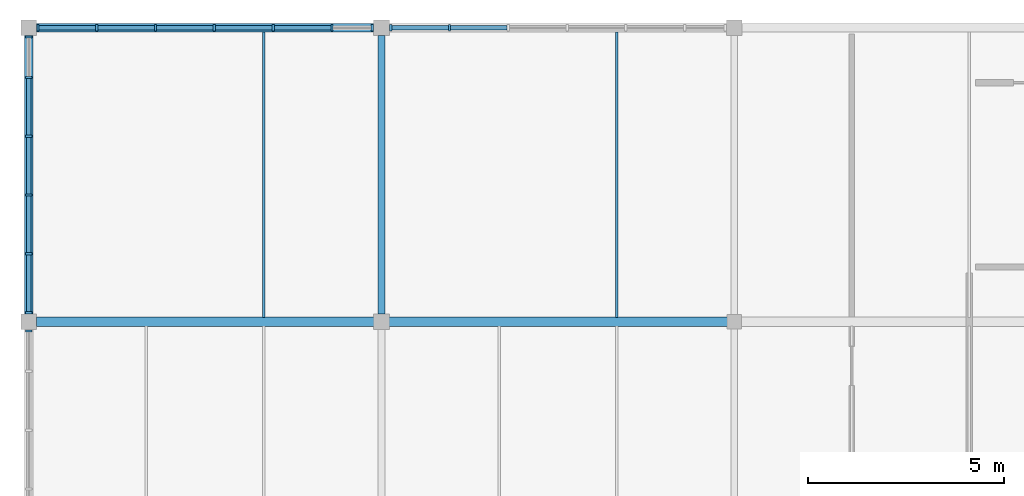
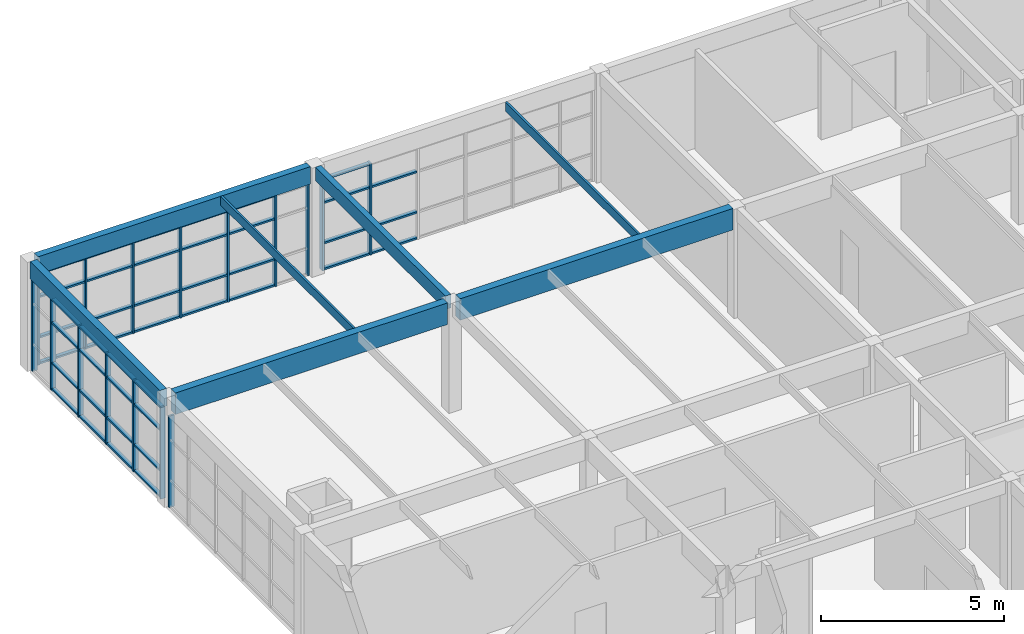
# One storey, part 17 of 45: 59 members, 7 beams, 4 elements without a shape of their own.
"""IFC4 building model written with IfcOpenShell, lengths in metres."""

from ifc_helpers import new_model, si_unit, direction, frame, origin, origin_2d, place, context, subcontext, project, spatial, rectangle, extrude, material, layer, layer_set, material_profile, profile_set, type_object, element, aggregate, save


model = new_model("IFC4")

# Units and contexts
model_context = context("Model", 3, precision=1e-05, world=origin(), true_north=direction((0.0, 1.0)))
body_context = subcontext(model_context, "Body", "Model", "MODEL_VIEW")
ifc_project = project(units=[si_unit("LENGTHUNIT", "METRE"), si_unit("AREAUNIT", "SQUARE_METRE"), si_unit("VOLUMEUNIT", "CUBIC_METRE"), si_unit("PLANEANGLEUNIT", "RADIAN"), si_unit("MASSUNIT", "GRAM", prefix="KILO")], contexts=[model_context])

# Site, building, storey
site_placement = place(None, origin())
site = spatial("IfcSite", under=ifc_project, at=site_placement, CompositionType="ELEMENT")
building_placement = place(site_placement, origin())
building = spatial("IfcBuilding", under=site, at=building_placement, Name="Marnridge Secondary College", CompositionType="ELEMENT")
storey_placement = place(building_placement, frame((0.0, 0.0, 12.300048828125)))
storey = spatial("IfcBuildingStorey", under=building, at=storey_placement, Name="L03", CompositionType="ELEMENT", Elevation=12.300048828125)

# Beams
ifc_material_1 = material(Name="Glulam timber GL18", Category="wood")
ifc_material_profile_1 = material_profile(ifc_material_1, rectangle(XDim=0.175048828125, YDim=0.449951171875, at=origin_2d()), Name="GL18 175x450")
ifc_profile_set_1 = profile_set([ifc_material_profile_1], Name="Glulam timber GL18")
beam_type_1 = type_object("IfcBeamType", Name="BM-GL450-INT", PredefinedType="BEAM", material=ifc_profile_set_1)
beam_1_placement = place(storey_placement, frame((9.0, 112.694091796875, 3.425048828125), z_axis=(0.0, 1.0, 0.0), x_axis=(-1.0, 0.0, 0.0)))
element("IfcBeam", 1, at=beam_1_placement, inside=storey, type_object=beam_type_1, Name="Beam BRF-L03-1323", PredefinedType="BEAM", context=body_context, shape_type="SweptSolid", body=[
    extrude(rectangle(XDim=0.175048828125, YDim=0.449951171875, at=origin_2d()), origin(), (0.0, 0.0, 1.0), 7.11181640625),
])
ifc_material_2 = material(Name="Glulam timber GL18", Category="wood")
ifc_material_profile_2 = material_profile(ifc_material_2, rectangle(XDim=0.215087890625, YDim=0.5849609375, at=origin_2d()), Name="GL18 215x585")
ifc_profile_set_2 = profile_set([ifc_material_profile_2], Name="Glulam timber GL18")
beam_type_2 = type_object("IfcBeamType", Name="BM-GL585-EXT", PredefinedType="SPANDREL", material=ifc_profile_set_2)
beam_2_placement = place(storey_placement, frame((0.194091796875, 120.0, 3.357421875), z_axis=(1.0, 0.0, 0.0), x_axis=(0.0, 1.0, 0.0)))
element("IfcBeam", 2, at=beam_2_placement, inside=storey, type_object=beam_type_2, Name="Beam BRF-L03-1321", PredefinedType="SPANDREL", context=body_context, shape_type="SweptSolid", body=[
    extrude(rectangle(XDim=0.215087890625, YDim=0.5849609375, at=origin_2d()), origin(), (0.0, 0.0, 1.0), 8.61181640625),
])
beam_3_placement = place(storey_placement, frame((0.0, 112.694091796875, 3.357421875), z_axis=(0.0, 1.0, 0.0), x_axis=(-1.0, 0.0, 0.0)))
element("IfcBeam", 3, at=beam_3_placement, inside=storey, type_object=beam_type_2, Name="Beam BRF-L03-1322", PredefinedType="SPANDREL", context=body_context, shape_type="SweptSolid", body=[
    extrude(rectangle(XDim=0.215087890625, YDim=0.5849609375, at=origin_2d()), origin(), (0.0, 0.0, 1.0), 7.11181640625),
])
ifc_material_3 = material(Name="Glulam timber GL18", Category="wood")
ifc_material_profile_3 = material_profile(ifc_material_3, rectangle(XDim=0.239990234375, YDim=0.719970703125, at=origin_2d()), Name="GL18 240x720")
ifc_profile_set_3 = profile_set([ifc_material_profile_3], Name="Glulam timber GL18")
beam_type_3 = type_object("IfcBeamType", Name="BM-GL720-INT", PredefinedType="BEAM", material=ifc_profile_set_3)
beam_4_placement = place(storey_placement, frame((0.194091796875, 112.5, 3.2900390625), z_axis=(1.0, 0.0, 0.0), x_axis=(0.0, 1.0, 0.0)))
element("IfcBeam", 4, at=beam_4_placement, inside=storey, type_object=beam_type_3, Name="Beam BRF-L03-1318", PredefinedType="BEAM", context=body_context, shape_type="SweptSolid", body=[
    extrude(rectangle(XDim=0.239990234375, YDim=0.719970703125, at=origin_2d()), origin(), (0.0, 0.0, 1.0), 8.61181640625),
])
beam_5_placement = place(storey_placement, frame((9.194091796875, 112.5, 3.2900390625), z_axis=(1.0, 0.0, 0.0), x_axis=(0.0, 1.0, 0.0)))
element("IfcBeam", 5, at=beam_5_placement, inside=storey, type_object=beam_type_3, Name="Beam BRF-L03-1329", PredefinedType="BEAM", context=body_context, shape_type="SweptSolid", body=[
    extrude(rectangle(XDim=0.239990234375, YDim=0.719970703125, at=origin_2d()), origin(), (0.0, 0.0, 1.0), 8.6318359375),
])
ifc_material_4 = material(Name="Engineered timber LVL E13.2", Category="wood")
ifc_material_profile_4 = material_profile(ifc_material_4, rectangle(XDim=0.06298828125, YDim=0.300048828125, at=origin_2d()), Name="LVL 63x300")
ifc_profile_set_4 = profile_set([ifc_material_profile_4], Name="Engineered timber LVL E13.2")
beam_type_4 = type_object("IfcBeamType", Name="BM-LVL300-INT", PredefinedType="JOIST", material=ifc_profile_set_4)
for number, where, z_axis, x_axis, name in (
    (6, (6.0, 112.614013671875, 3.5), (0.0, 1.0, 0.0), (-1.0, 0.0, 0.0), "Beam BJ-L03-1361"),
    (7, (15.0, 112.614013671875, 3.5), (0.0, 1.0, 0.0), (-1.0, 0.0, 0.0), "Beam BJ-L03-1367"),
):
    element("IfcBeam", number, at=place(storey_placement, frame(where, z_axis=z_axis, x_axis=x_axis)), inside=storey, type_object=beam_type_4, Name=name, PredefinedType="JOIST", context=body_context, shape_type="SweptSolid", body=[
        extrude(rectangle(XDim=0.06298828125, YDim=0.300048828125, at=origin_2d()), origin(), (0.0, 0.0, 1.0), 7.284423828125),
    ])

# Curtain wall, members
ifc_material_5 = material(Name="Thermally broken aluminium and low-E glazing", Category="aluminium")
ifc_layer = layer(ifc_material_5, 0.159912109375)
ifc_layer_set = layer_set([ifc_layer], Name="CW-MOD-1500")
curtain_wall_type = type_object("IfcCurtainWallType", Name="CW-MOD-1500", PredefinedType="NOTDEFINED", material=ifc_layer_set)
curtain_wall_1_placement = place(storey_placement, origin())
curtain_wall_1 = element("IfcCurtainWall", 8, at=curtain_wall_1_placement, inside=storey, type_object=curtain_wall_type, Name="Unitised curtain wall CW-L03-118", PredefinedType="NOTDEFINED")
ifc_material_6 = material(Name="Anodised aluminium 6063-T6", Category="aluminium")
ifc_material_profile_5 = material_profile(ifc_material_6, rectangle(XDim=0.06005859375, YDim=0.159912109375, at=origin_2d()), Name="ALU 60x160")
ifc_profile_set_5 = profile_set([ifc_material_profile_5], Name="Anodised aluminium 6063-T6")
member_type_1 = type_object("IfcMemberType", Name="CWM-ALU160", PredefinedType="MULLION", material=ifc_profile_set_5)
member_1_placement = place(storey_placement, frame((0.23388671875, 120.0, 0.0), z_axis=(0.0, 0.0, 1.0), x_axis=(1.0, 0.0, 0.0)))
member_1 = element("IfcMember", 9, at=member_1_placement, type_object=member_type_1, Name="CW-L03-118 mullion 1", PredefinedType="MULLION", context=body_context, shape_type="SweptSolid", body=[
    extrude(rectangle(XDim=0.06005859375, YDim=0.159912109375, at=origin_2d()), origin(), (0.0, 0.0, 1.0), 3.056884765625),
])
member_2_placement = place(storey_placement, frame((1.73388671875, 120.0, 0.0), z_axis=(0.0, 0.0, 1.0), x_axis=(1.0, 0.0, 0.0)))
member_2 = element("IfcMember", 10, at=member_2_placement, type_object=member_type_1, Name="CW-L03-118 mullion 2", PredefinedType="MULLION", context=body_context, shape_type="SweptSolid", body=[
    extrude(rectangle(XDim=0.06005859375, YDim=0.159912109375, at=origin_2d()), origin(), (0.0, 0.0, 1.0), 3.056884765625),
])
member_3_placement = place(storey_placement, frame((3.23388671875, 120.0, 0.0), z_axis=(0.0, 0.0, 1.0), x_axis=(1.0, 0.0, 0.0)))
member_3 = element("IfcMember", 11, at=member_3_placement, type_object=member_type_1, Name="CW-L03-118 mullion 3", PredefinedType="MULLION", context=body_context, shape_type="SweptSolid", body=[
    extrude(rectangle(XDim=0.06005859375, YDim=0.159912109375, at=origin_2d()), origin(), (0.0, 0.0, 1.0), 3.056884765625),
])
member_4_placement = place(storey_placement, frame((4.73388671875, 120.0, 0.0), z_axis=(0.0, 0.0, 1.0), x_axis=(1.0, 0.0, 0.0)))
member_4 = element("IfcMember", 12, at=member_4_placement, type_object=member_type_1, Name="CW-L03-118 mullion 4", PredefinedType="MULLION", context=body_context, shape_type="SweptSolid", body=[
    extrude(rectangle(XDim=0.06005859375, YDim=0.159912109375, at=origin_2d()), origin(), (0.0, 0.0, 1.0), 3.056884765625),
])
member_5_placement = place(storey_placement, frame((6.23388671875, 120.0, 0.0), z_axis=(0.0, 0.0, 1.0), x_axis=(1.0, 0.0, 0.0)))
member_5 = element("IfcMember", 13, at=member_5_placement, type_object=member_type_1, Name="CW-L03-118 mullion 5", PredefinedType="MULLION", context=body_context, shape_type="SweptSolid", body=[
    extrude(rectangle(XDim=0.06005859375, YDim=0.159912109375, at=origin_2d()), origin(), (0.0, 0.0, 1.0), 3.056884765625),
])
member_6_placement = place(storey_placement, frame((7.73388671875, 120.0, 0.0), z_axis=(0.0, 0.0, 1.0), x_axis=(1.0, 0.0, 0.0)))
member_6 = element("IfcMember", 14, at=member_6_placement, type_object=member_type_1, Name="CW-L03-118 mullion 6", PredefinedType="MULLION", context=body_context, shape_type="SweptSolid", body=[
    extrude(rectangle(XDim=0.06005859375, YDim=0.159912109375, at=origin_2d()), origin(), (0.0, 0.0, 1.0), 3.056884765625),
])
member_7_placement = place(storey_placement, frame((8.76611328125, 120.0, 0.0), z_axis=(0.0, 0.0, 1.0), x_axis=(1.0, 0.0, 0.0)))
member_7 = element("IfcMember", 15, at=member_7_placement, type_object=member_type_1, Name="CW-L03-118 mullion 7", PredefinedType="MULLION", context=body_context, shape_type="SweptSolid", body=[
    extrude(rectangle(XDim=0.06005859375, YDim=0.159912109375, at=origin_2d()), origin(), (0.0, 0.0, 1.0), 3.056884765625),
])

curtain_wall_2_placement = place(storey_placement, origin())
curtain_wall_2 = element("IfcCurtainWall", 16, at=curtain_wall_2_placement, inside=storey, type_object=curtain_wall_type, Name="Unitised curtain wall CW-L03-119", PredefinedType="NOTDEFINED")
member_8_placement = place(storey_placement, frame((9.23388671875, 120.0, 0.0), z_axis=(0.0, 0.0, 1.0), x_axis=(1.0, 0.0, 0.0)))
member_8 = element("IfcMember", 17, at=member_8_placement, type_object=member_type_1, Name="CW-L03-119 mullion 1", PredefinedType="MULLION", context=body_context, shape_type="SweptSolid", body=[
    extrude(rectangle(XDim=0.06005859375, YDim=0.159912109375, at=origin_2d()), origin(), (0.0, 0.0, 1.0), 3.056884765625),
])
member_9_placement = place(storey_placement, frame((10.73388671875, 120.0, 0.0), z_axis=(0.0, 0.0, 1.0), x_axis=(1.0, 0.0, 0.0)))
member_9 = element("IfcMember", 18, at=member_9_placement, type_object=member_type_1, Name="CW-L03-119 mullion 2", PredefinedType="MULLION", context=body_context, shape_type="SweptSolid", body=[
    extrude(rectangle(XDim=0.06005859375, YDim=0.159912109375, at=origin_2d()), origin(), (0.0, 0.0, 1.0), 3.056884765625),
])

# Curtain wall, member
curtain_wall_3_placement = place(storey_placement, origin())
curtain_wall_3 = element("IfcCurtainWall", 19, at=curtain_wall_3_placement, inside=storey, type_object=curtain_wall_type, Name="Unitised curtain wall CW-L03-125", PredefinedType="NOTDEFINED")
member_10_placement = place(storey_placement, frame((0.0, 112.26611328125, 0.0), z_axis=(0.0, 0.0, 1.0), x_axis=(0.0, 1.0, 0.0)))
member_10 = element("IfcMember", 20, at=member_10_placement, type_object=member_type_1, Name="CW-L03-125 mullion 6", PredefinedType="MULLION", context=body_context, shape_type="SweptSolid", body=[
    extrude(rectangle(XDim=0.06005859375, YDim=0.159912109375, at=origin_2d()), origin(), (0.0, 0.0, 1.0), 3.056884765625),
])
aggregate(curtain_wall_3, [member_10])

# Curtain wall, members
curtain_wall_4_placement = place(storey_placement, origin())
curtain_wall_4 = element("IfcCurtainWall", 21, at=curtain_wall_4_placement, inside=storey, type_object=curtain_wall_type, Name="Unitised curtain wall CW-L03-126", PredefinedType="NOTDEFINED")
member_11_placement = place(storey_placement, frame((0.0, 112.73388671875, 0.0), z_axis=(0.0, 0.0, 1.0), x_axis=(0.0, 1.0, 0.0)))
member_11 = element("IfcMember", 22, at=member_11_placement, type_object=member_type_1, Name="CW-L03-126 mullion 1", PredefinedType="MULLION", context=body_context, shape_type="SweptSolid", body=[
    extrude(rectangle(XDim=0.06005859375, YDim=0.159912109375, at=origin_2d()), origin(), (0.0, 0.0, 1.0), 3.056884765625),
])
member_12_placement = place(storey_placement, frame((0.0, 114.23388671875, 0.0), z_axis=(0.0, 0.0, 1.0), x_axis=(0.0, 1.0, 0.0)))
member_12 = element("IfcMember", 23, at=member_12_placement, type_object=member_type_1, Name="CW-L03-126 mullion 2", PredefinedType="MULLION", context=body_context, shape_type="SweptSolid", body=[
    extrude(rectangle(XDim=0.06005859375, YDim=0.159912109375, at=origin_2d()), origin(), (0.0, 0.0, 1.0), 3.056884765625),
])
member_13_placement = place(storey_placement, frame((0.0, 115.73388671875, 0.0), z_axis=(0.0, 0.0, 1.0), x_axis=(0.0, 1.0, 0.0)))
member_13 = element("IfcMember", 24, at=member_13_placement, type_object=member_type_1, Name="CW-L03-126 mullion 3", PredefinedType="MULLION", context=body_context, shape_type="SweptSolid", body=[
    extrude(rectangle(XDim=0.06005859375, YDim=0.159912109375, at=origin_2d()), origin(), (0.0, 0.0, 1.0), 3.056884765625),
])
member_14_placement = place(storey_placement, frame((0.0, 117.23388671875, 0.0), z_axis=(0.0, 0.0, 1.0), x_axis=(0.0, 1.0, 0.0)))
member_14 = element("IfcMember", 25, at=member_14_placement, type_object=member_type_1, Name="CW-L03-126 mullion 4", PredefinedType="MULLION", context=body_context, shape_type="SweptSolid", body=[
    extrude(rectangle(XDim=0.06005859375, YDim=0.159912109375, at=origin_2d()), origin(), (0.0, 0.0, 1.0), 3.056884765625),
])
member_15_placement = place(storey_placement, frame((0.0, 118.73388671875, 0.0), z_axis=(0.0, 0.0, 1.0), x_axis=(0.0, 1.0, 0.0)))
member_15 = element("IfcMember", 26, at=member_15_placement, type_object=member_type_1, Name="CW-L03-126 mullion 5", PredefinedType="MULLION", context=body_context, shape_type="SweptSolid", body=[
    extrude(rectangle(XDim=0.06005859375, YDim=0.159912109375, at=origin_2d()), origin(), (0.0, 0.0, 1.0), 3.056884765625),
])
member_16_placement = place(storey_placement, frame((0.0, 119.76611328125, 0.0), z_axis=(0.0, 0.0, 1.0), x_axis=(0.0, 1.0, 0.0)))
member_16 = element("IfcMember", 27, at=member_16_placement, type_object=member_type_1, Name="CW-L03-126 mullion 6", PredefinedType="MULLION", context=body_context, shape_type="SweptSolid", body=[
    extrude(rectangle(XDim=0.06005859375, YDim=0.159912109375, at=origin_2d()), origin(), (0.0, 0.0, 1.0), 3.056884765625),
])

# Member
ifc_material_7 = material(Name="Anodised aluminium 6063-T6", Category="aluminium")
ifc_material_profile_6 = material_profile(ifc_material_7, rectangle(XDim=0.06005859375, YDim=0.1201171875, at=origin_2d()), Name="ALU 60x120")
ifc_profile_set_6 = profile_set([ifc_material_profile_6], Name="Anodised aluminium 6063-T6")
member_type_2 = type_object("IfcMemberType", Name="CWT-ALU120", PredefinedType="USERDEFINED", material=ifc_profile_set_6)
member_17_placement = place(storey_placement, frame((0.263916015625, 120.0, 0.030029296875), z_axis=(1.0, 0.0, 0.0), x_axis=(0.0, 0.0, 1.0)))
member_17 = element("IfcMember", 28, at=member_17_placement, type_object=member_type_2, Name="CW-L03-118 transom 1.1", ObjectType="TRANSOM", PredefinedType="USERDEFINED", context=body_context, shape_type="SweptSolid", body=[
    extrude(rectangle(XDim=0.06005859375, YDim=0.1201171875, at=origin_2d()), origin(), (0.0, 0.0, 1.0), 1.440185546875),
])

member_18_placement = place(storey_placement, frame((0.263916015625, 120.0, 0.89990234375), z_axis=(1.0, 0.0, 0.0), x_axis=(0.0, 0.0, 1.0)))
member_18 = element("IfcMember", 29, at=member_18_placement, type_object=member_type_2, Name="CW-L03-118 transom 1.2", ObjectType="TRANSOM", PredefinedType="USERDEFINED", context=body_context, shape_type="SweptSolid", body=[
    extrude(rectangle(XDim=0.06005859375, YDim=0.1201171875, at=origin_2d()), origin(), (0.0, 0.0, 1.0), 1.440185546875),
])

member_19_placement = place(storey_placement, frame((0.263916015625, 120.0, 2.25), z_axis=(1.0, 0.0, 0.0), x_axis=(0.0, 0.0, 1.0)))
member_19 = element("IfcMember", 30, at=member_19_placement, type_object=member_type_2, Name="CW-L03-118 transom 1.3", ObjectType="TRANSOM", PredefinedType="USERDEFINED", context=body_context, shape_type="SweptSolid", body=[
    extrude(rectangle(XDim=0.06005859375, YDim=0.1201171875, at=origin_2d()), origin(), (0.0, 0.0, 1.0), 1.440185546875),
])

member_20_placement = place(storey_placement, frame((0.263916015625, 120.0, 3.02685546875), z_axis=(1.0, 0.0, 0.0), x_axis=(0.0, 0.0, 1.0)))
member_20 = element("IfcMember", 31, at=member_20_placement, type_object=member_type_2, Name="CW-L03-118 transom 1.4", ObjectType="TRANSOM", PredefinedType="USERDEFINED", context=body_context, shape_type="SweptSolid", body=[
    extrude(rectangle(XDim=0.06005859375, YDim=0.1201171875, at=origin_2d()), origin(), (0.0, 0.0, 1.0), 1.440185546875),
])

member_21_placement = place(storey_placement, frame((1.763916015625, 120.0, 0.030029296875), z_axis=(1.0, 0.0, 0.0), x_axis=(0.0, 0.0, 1.0)))
member_21 = element("IfcMember", 32, at=member_21_placement, type_object=member_type_2, Name="CW-L03-118 transom 2.1", ObjectType="TRANSOM", PredefinedType="USERDEFINED", context=body_context, shape_type="SweptSolid", body=[
    extrude(rectangle(XDim=0.06005859375, YDim=0.1201171875, at=origin_2d()), origin(), (0.0, 0.0, 1.0), 1.440185546875),
])

member_22_placement = place(storey_placement, frame((1.763916015625, 120.0, 0.89990234375), z_axis=(1.0, 0.0, 0.0), x_axis=(0.0, 0.0, 1.0)))
member_22 = element("IfcMember", 33, at=member_22_placement, type_object=member_type_2, Name="CW-L03-118 transom 2.2", ObjectType="TRANSOM", PredefinedType="USERDEFINED", context=body_context, shape_type="SweptSolid", body=[
    extrude(rectangle(XDim=0.06005859375, YDim=0.1201171875, at=origin_2d()), origin(), (0.0, 0.0, 1.0), 1.440185546875),
])

member_23_placement = place(storey_placement, frame((1.763916015625, 120.0, 2.25), z_axis=(1.0, 0.0, 0.0), x_axis=(0.0, 0.0, 1.0)))
member_23 = element("IfcMember", 34, at=member_23_placement, type_object=member_type_2, Name="CW-L03-118 transom 2.3", ObjectType="TRANSOM", PredefinedType="USERDEFINED", context=body_context, shape_type="SweptSolid", body=[
    extrude(rectangle(XDim=0.06005859375, YDim=0.1201171875, at=origin_2d()), origin(), (0.0, 0.0, 1.0), 1.440185546875),
])

member_24_placement = place(storey_placement, frame((1.763916015625, 120.0, 3.02685546875), z_axis=(1.0, 0.0, 0.0), x_axis=(0.0, 0.0, 1.0)))
member_24 = element("IfcMember", 35, at=member_24_placement, type_object=member_type_2, Name="CW-L03-118 transom 2.4", ObjectType="TRANSOM", PredefinedType="USERDEFINED", context=body_context, shape_type="SweptSolid", body=[
    extrude(rectangle(XDim=0.06005859375, YDim=0.1201171875, at=origin_2d()), origin(), (0.0, 0.0, 1.0), 1.440185546875),
])

member_25_placement = place(storey_placement, frame((3.263916015625, 120.0, 0.030029296875), z_axis=(1.0, 0.0, 0.0), x_axis=(0.0, 0.0, 1.0)))
member_25 = element("IfcMember", 36, at=member_25_placement, type_object=member_type_2, Name="CW-L03-118 transom 3.1", ObjectType="TRANSOM", PredefinedType="USERDEFINED", context=body_context, shape_type="SweptSolid", body=[
    extrude(rectangle(XDim=0.06005859375, YDim=0.1201171875, at=origin_2d()), origin(), (0.0, 0.0, 1.0), 1.440185546875),
])

member_26_placement = place(storey_placement, frame((3.263916015625, 120.0, 0.89990234375), z_axis=(1.0, 0.0, 0.0), x_axis=(0.0, 0.0, 1.0)))
member_26 = element("IfcMember", 37, at=member_26_placement, type_object=member_type_2, Name="CW-L03-118 transom 3.2", ObjectType="TRANSOM", PredefinedType="USERDEFINED", context=body_context, shape_type="SweptSolid", body=[
    extrude(rectangle(XDim=0.06005859375, YDim=0.1201171875, at=origin_2d()), origin(), (0.0, 0.0, 1.0), 1.440185546875),
])

member_27_placement = place(storey_placement, frame((3.263916015625, 120.0, 2.25), z_axis=(1.0, 0.0, 0.0), x_axis=(0.0, 0.0, 1.0)))
member_27 = element("IfcMember", 38, at=member_27_placement, type_object=member_type_2, Name="CW-L03-118 transom 3.3", ObjectType="TRANSOM", PredefinedType="USERDEFINED", context=body_context, shape_type="SweptSolid", body=[
    extrude(rectangle(XDim=0.06005859375, YDim=0.1201171875, at=origin_2d()), origin(), (0.0, 0.0, 1.0), 1.440185546875),
])

member_28_placement = place(storey_placement, frame((3.263916015625, 120.0, 3.02685546875), z_axis=(1.0, 0.0, 0.0), x_axis=(0.0, 0.0, 1.0)))
member_28 = element("IfcMember", 39, at=member_28_placement, type_object=member_type_2, Name="CW-L03-118 transom 3.4", ObjectType="TRANSOM", PredefinedType="USERDEFINED", context=body_context, shape_type="SweptSolid", body=[
    extrude(rectangle(XDim=0.06005859375, YDim=0.1201171875, at=origin_2d()), origin(), (0.0, 0.0, 1.0), 1.440185546875),
])

member_29_placement = place(storey_placement, frame((4.763916015625, 120.0, 0.030029296875), z_axis=(1.0, 0.0, 0.0), x_axis=(0.0, 0.0, 1.0)))
member_29 = element("IfcMember", 40, at=member_29_placement, type_object=member_type_2, Name="CW-L03-118 transom 4.1", ObjectType="TRANSOM", PredefinedType="USERDEFINED", context=body_context, shape_type="SweptSolid", body=[
    extrude(rectangle(XDim=0.06005859375, YDim=0.1201171875, at=origin_2d()), origin(), (0.0, 0.0, 1.0), 1.440185546875),
])

member_30_placement = place(storey_placement, frame((4.763916015625, 120.0, 0.89990234375), z_axis=(1.0, 0.0, 0.0), x_axis=(0.0, 0.0, 1.0)))
member_30 = element("IfcMember", 41, at=member_30_placement, type_object=member_type_2, Name="CW-L03-118 transom 4.2", ObjectType="TRANSOM", PredefinedType="USERDEFINED", context=body_context, shape_type="SweptSolid", body=[
    extrude(rectangle(XDim=0.06005859375, YDim=0.1201171875, at=origin_2d()), origin(), (0.0, 0.0, 1.0), 1.440185546875),
])

member_31_placement = place(storey_placement, frame((4.763916015625, 120.0, 2.25), z_axis=(1.0, 0.0, 0.0), x_axis=(0.0, 0.0, 1.0)))
member_31 = element("IfcMember", 42, at=member_31_placement, type_object=member_type_2, Name="CW-L03-118 transom 4.3", ObjectType="TRANSOM", PredefinedType="USERDEFINED", context=body_context, shape_type="SweptSolid", body=[
    extrude(rectangle(XDim=0.06005859375, YDim=0.1201171875, at=origin_2d()), origin(), (0.0, 0.0, 1.0), 1.440185546875),
])

member_32_placement = place(storey_placement, frame((4.763916015625, 120.0, 3.02685546875), z_axis=(1.0, 0.0, 0.0), x_axis=(0.0, 0.0, 1.0)))
member_32 = element("IfcMember", 43, at=member_32_placement, type_object=member_type_2, Name="CW-L03-118 transom 4.4", ObjectType="TRANSOM", PredefinedType="USERDEFINED", context=body_context, shape_type="SweptSolid", body=[
    extrude(rectangle(XDim=0.06005859375, YDim=0.1201171875, at=origin_2d()), origin(), (0.0, 0.0, 1.0), 1.440185546875),
])

member_33_placement = place(storey_placement, frame((6.263916015625, 120.0, 0.030029296875), z_axis=(1.0, 0.0, 0.0), x_axis=(0.0, 0.0, 1.0)))
member_33 = element("IfcMember", 44, at=member_33_placement, type_object=member_type_2, Name="CW-L03-118 transom 5.1", ObjectType="TRANSOM", PredefinedType="USERDEFINED", context=body_context, shape_type="SweptSolid", body=[
    extrude(rectangle(XDim=0.06005859375, YDim=0.1201171875, at=origin_2d()), origin(), (0.0, 0.0, 1.0), 1.440185546875),
])

member_34_placement = place(storey_placement, frame((6.263916015625, 120.0, 0.89990234375), z_axis=(1.0, 0.0, 0.0), x_axis=(0.0, 0.0, 1.0)))
member_34 = element("IfcMember", 45, at=member_34_placement, type_object=member_type_2, Name="CW-L03-118 transom 5.2", ObjectType="TRANSOM", PredefinedType="USERDEFINED", context=body_context, shape_type="SweptSolid", body=[
    extrude(rectangle(XDim=0.06005859375, YDim=0.1201171875, at=origin_2d()), origin(), (0.0, 0.0, 1.0), 1.440185546875),
])

member_35_placement = place(storey_placement, frame((6.263916015625, 120.0, 2.25), z_axis=(1.0, 0.0, 0.0), x_axis=(0.0, 0.0, 1.0)))
member_35 = element("IfcMember", 46, at=member_35_placement, type_object=member_type_2, Name="CW-L03-118 transom 5.3", ObjectType="TRANSOM", PredefinedType="USERDEFINED", context=body_context, shape_type="SweptSolid", body=[
    extrude(rectangle(XDim=0.06005859375, YDim=0.1201171875, at=origin_2d()), origin(), (0.0, 0.0, 1.0), 1.440185546875),
])

member_36_placement = place(storey_placement, frame((6.263916015625, 120.0, 3.02685546875), z_axis=(1.0, 0.0, 0.0), x_axis=(0.0, 0.0, 1.0)))
member_36 = element("IfcMember", 47, at=member_36_placement, type_object=member_type_2, Name="CW-L03-118 transom 5.4", ObjectType="TRANSOM", PredefinedType="USERDEFINED", context=body_context, shape_type="SweptSolid", body=[
    extrude(rectangle(XDim=0.06005859375, YDim=0.1201171875, at=origin_2d()), origin(), (0.0, 0.0, 1.0), 1.440185546875),
])

aggregate(curtain_wall_1, [member_1, member_2, member_3, member_4, member_5, member_6, member_7, member_17, member_18, member_19, member_20, member_21, member_22, member_23, member_24, member_25, member_26, member_27, member_28, member_29, member_30, member_31, member_32, member_33, member_34, member_35, member_36])

member_37_placement = place(storey_placement, frame((9.263916015625, 120.0, 0.030029296875), z_axis=(1.0, 0.0, 0.0), x_axis=(0.0, 0.0, 1.0)))
member_37 = element("IfcMember", 48, at=member_37_placement, type_object=member_type_2, Name="CW-L03-119 transom 1.1", ObjectType="TRANSOM", PredefinedType="USERDEFINED", context=body_context, shape_type="SweptSolid", body=[
    extrude(rectangle(XDim=0.06005859375, YDim=0.1201171875, at=origin_2d()), origin(), (0.0, 0.0, 1.0), 1.440185546875),
])

member_38_placement = place(storey_placement, frame((9.263916015625, 120.0, 0.89990234375), z_axis=(1.0, 0.0, 0.0), x_axis=(0.0, 0.0, 1.0)))
member_38 = element("IfcMember", 49, at=member_38_placement, type_object=member_type_2, Name="CW-L03-119 transom 1.2", ObjectType="TRANSOM", PredefinedType="USERDEFINED", context=body_context, shape_type="SweptSolid", body=[
    extrude(rectangle(XDim=0.06005859375, YDim=0.1201171875, at=origin_2d()), origin(), (0.0, 0.0, 1.0), 1.440185546875),
])

member_39_placement = place(storey_placement, frame((9.263916015625, 120.0, 2.25), z_axis=(1.0, 0.0, 0.0), x_axis=(0.0, 0.0, 1.0)))
member_39 = element("IfcMember", 50, at=member_39_placement, type_object=member_type_2, Name="CW-L03-119 transom 1.3", ObjectType="TRANSOM", PredefinedType="USERDEFINED", context=body_context, shape_type="SweptSolid", body=[
    extrude(rectangle(XDim=0.06005859375, YDim=0.1201171875, at=origin_2d()), origin(), (0.0, 0.0, 1.0), 1.440185546875),
])

member_40_placement = place(storey_placement, frame((9.263916015625, 120.0, 3.02685546875), z_axis=(1.0, 0.0, 0.0), x_axis=(0.0, 0.0, 1.0)))
member_40 = element("IfcMember", 51, at=member_40_placement, type_object=member_type_2, Name="CW-L03-119 transom 1.4", ObjectType="TRANSOM", PredefinedType="USERDEFINED", context=body_context, shape_type="SweptSolid", body=[
    extrude(rectangle(XDim=0.06005859375, YDim=0.1201171875, at=origin_2d()), origin(), (0.0, 0.0, 1.0), 1.440185546875),
])

member_41_placement = place(storey_placement, frame((10.763916015625, 120.0, 0.030029296875), z_axis=(1.0, 0.0, 0.0), x_axis=(0.0, 0.0, 1.0)))
member_41 = element("IfcMember", 52, at=member_41_placement, type_object=member_type_2, Name="CW-L03-119 transom 2.1", ObjectType="TRANSOM", PredefinedType="USERDEFINED", context=body_context, shape_type="SweptSolid", body=[
    extrude(rectangle(XDim=0.06005859375, YDim=0.1201171875, at=origin_2d()), origin(), (0.0, 0.0, 1.0), 1.440185546875),
])

member_42_placement = place(storey_placement, frame((10.763916015625, 120.0, 0.89990234375), z_axis=(1.0, 0.0, 0.0), x_axis=(0.0, 0.0, 1.0)))
member_42 = element("IfcMember", 53, at=member_42_placement, type_object=member_type_2, Name="CW-L03-119 transom 2.2", ObjectType="TRANSOM", PredefinedType="USERDEFINED", context=body_context, shape_type="SweptSolid", body=[
    extrude(rectangle(XDim=0.06005859375, YDim=0.1201171875, at=origin_2d()), origin(), (0.0, 0.0, 1.0), 1.440185546875),
])

member_43_placement = place(storey_placement, frame((10.763916015625, 120.0, 2.25), z_axis=(1.0, 0.0, 0.0), x_axis=(0.0, 0.0, 1.0)))
member_43 = element("IfcMember", 54, at=member_43_placement, type_object=member_type_2, Name="CW-L03-119 transom 2.3", ObjectType="TRANSOM", PredefinedType="USERDEFINED", context=body_context, shape_type="SweptSolid", body=[
    extrude(rectangle(XDim=0.06005859375, YDim=0.1201171875, at=origin_2d()), origin(), (0.0, 0.0, 1.0), 1.440185546875),
])

aggregate(curtain_wall_2, [member_8, member_9, member_37, member_38, member_39, member_40, member_41, member_42, member_43])

member_44_placement = place(storey_placement, frame((0.0, 112.763916015625, 0.030029296875), z_axis=(0.0, 1.0, 0.0), x_axis=(0.0, 0.0, 1.0)))
member_44 = element("IfcMember", 55, at=member_44_placement, type_object=member_type_2, Name="CW-L03-126 transom 1.1", ObjectType="TRANSOM", PredefinedType="USERDEFINED", context=body_context, shape_type="SweptSolid", body=[
    extrude(rectangle(XDim=0.06005859375, YDim=0.1201171875, at=origin_2d()), origin(), (0.0, 0.0, 1.0), 1.440185546875),
])

member_45_placement = place(storey_placement, frame((0.0, 112.763916015625, 0.89990234375), z_axis=(0.0, 1.0, 0.0), x_axis=(0.0, 0.0, 1.0)))
member_45 = element("IfcMember", 56, at=member_45_placement, type_object=member_type_2, Name="CW-L03-126 transom 1.2", ObjectType="TRANSOM", PredefinedType="USERDEFINED", context=body_context, shape_type="SweptSolid", body=[
    extrude(rectangle(XDim=0.06005859375, YDim=0.1201171875, at=origin_2d()), origin(), (0.0, 0.0, 1.0), 1.440185546875),
])

member_46_placement = place(storey_placement, frame((0.0, 112.763916015625, 2.25), z_axis=(0.0, 1.0, 0.0), x_axis=(0.0, 0.0, 1.0)))
member_46 = element("IfcMember", 57, at=member_46_placement, type_object=member_type_2, Name="CW-L03-126 transom 1.3", ObjectType="TRANSOM", PredefinedType="USERDEFINED", context=body_context, shape_type="SweptSolid", body=[
    extrude(rectangle(XDim=0.06005859375, YDim=0.1201171875, at=origin_2d()), origin(), (0.0, 0.0, 1.0), 1.440185546875),
])

member_47_placement = place(storey_placement, frame((0.0, 112.763916015625, 3.02685546875), z_axis=(0.0, 1.0, 0.0), x_axis=(0.0, 0.0, 1.0)))
member_47 = element("IfcMember", 58, at=member_47_placement, type_object=member_type_2, Name="CW-L03-126 transom 1.4", ObjectType="TRANSOM", PredefinedType="USERDEFINED", context=body_context, shape_type="SweptSolid", body=[
    extrude(rectangle(XDim=0.06005859375, YDim=0.1201171875, at=origin_2d()), origin(), (0.0, 0.0, 1.0), 1.440185546875),
])

member_48_placement = place(storey_placement, frame((0.0, 114.263916015625, 0.030029296875), z_axis=(0.0, 1.0, 0.0), x_axis=(0.0, 0.0, 1.0)))
member_48 = element("IfcMember", 59, at=member_48_placement, type_object=member_type_2, Name="CW-L03-126 transom 2.1", ObjectType="TRANSOM", PredefinedType="USERDEFINED", context=body_context, shape_type="SweptSolid", body=[
    extrude(rectangle(XDim=0.06005859375, YDim=0.1201171875, at=origin_2d()), origin(), (0.0, 0.0, 1.0), 1.440185546875),
])

member_49_placement = place(storey_placement, frame((0.0, 114.263916015625, 0.89990234375), z_axis=(0.0, 1.0, 0.0), x_axis=(0.0, 0.0, 1.0)))
member_49 = element("IfcMember", 60, at=member_49_placement, type_object=member_type_2, Name="CW-L03-126 transom 2.2", ObjectType="TRANSOM", PredefinedType="USERDEFINED", context=body_context, shape_type="SweptSolid", body=[
    extrude(rectangle(XDim=0.06005859375, YDim=0.1201171875, at=origin_2d()), origin(), (0.0, 0.0, 1.0), 1.440185546875),
])

member_50_placement = place(storey_placement, frame((0.0, 114.263916015625, 2.25), z_axis=(0.0, 1.0, 0.0), x_axis=(0.0, 0.0, 1.0)))
member_50 = element("IfcMember", 61, at=member_50_placement, type_object=member_type_2, Name="CW-L03-126 transom 2.3", ObjectType="TRANSOM", PredefinedType="USERDEFINED", context=body_context, shape_type="SweptSolid", body=[
    extrude(rectangle(XDim=0.06005859375, YDim=0.1201171875, at=origin_2d()), origin(), (0.0, 0.0, 1.0), 1.440185546875),
])

member_51_placement = place(storey_placement, frame((0.0, 114.263916015625, 3.02685546875), z_axis=(0.0, 1.0, 0.0), x_axis=(0.0, 0.0, 1.0)))
member_51 = element("IfcMember", 62, at=member_51_placement, type_object=member_type_2, Name="CW-L03-126 transom 2.4", ObjectType="TRANSOM", PredefinedType="USERDEFINED", context=body_context, shape_type="SweptSolid", body=[
    extrude(rectangle(XDim=0.06005859375, YDim=0.1201171875, at=origin_2d()), origin(), (0.0, 0.0, 1.0), 1.440185546875),
])

member_52_placement = place(storey_placement, frame((0.0, 115.763916015625, 0.030029296875), z_axis=(0.0, 1.0, 0.0), x_axis=(0.0, 0.0, 1.0)))
member_52 = element("IfcMember", 63, at=member_52_placement, type_object=member_type_2, Name="CW-L03-126 transom 3.1", ObjectType="TRANSOM", PredefinedType="USERDEFINED", context=body_context, shape_type="SweptSolid", body=[
    extrude(rectangle(XDim=0.06005859375, YDim=0.1201171875, at=origin_2d()), origin(), (0.0, 0.0, 1.0), 1.440185546875),
])

member_53_placement = place(storey_placement, frame((0.0, 115.763916015625, 0.89990234375), z_axis=(0.0, 1.0, 0.0), x_axis=(0.0, 0.0, 1.0)))
member_53 = element("IfcMember", 64, at=member_53_placement, type_object=member_type_2, Name="CW-L03-126 transom 3.2", ObjectType="TRANSOM", PredefinedType="USERDEFINED", context=body_context, shape_type="SweptSolid", body=[
    extrude(rectangle(XDim=0.06005859375, YDim=0.1201171875, at=origin_2d()), origin(), (0.0, 0.0, 1.0), 1.440185546875),
])

member_54_placement = place(storey_placement, frame((0.0, 115.763916015625, 2.25), z_axis=(0.0, 1.0, 0.0), x_axis=(0.0, 0.0, 1.0)))
member_54 = element("IfcMember", 65, at=member_54_placement, type_object=member_type_2, Name="CW-L03-126 transom 3.3", ObjectType="TRANSOM", PredefinedType="USERDEFINED", context=body_context, shape_type="SweptSolid", body=[
    extrude(rectangle(XDim=0.06005859375, YDim=0.1201171875, at=origin_2d()), origin(), (0.0, 0.0, 1.0), 1.440185546875),
])

member_55_placement = place(storey_placement, frame((0.0, 115.763916015625, 3.02685546875), z_axis=(0.0, 1.0, 0.0), x_axis=(0.0, 0.0, 1.0)))
member_55 = element("IfcMember", 66, at=member_55_placement, type_object=member_type_2, Name="CW-L03-126 transom 3.4", ObjectType="TRANSOM", PredefinedType="USERDEFINED", context=body_context, shape_type="SweptSolid", body=[
    extrude(rectangle(XDim=0.06005859375, YDim=0.1201171875, at=origin_2d()), origin(), (0.0, 0.0, 1.0), 1.440185546875),
])

member_56_placement = place(storey_placement, frame((0.0, 117.263916015625, 0.030029296875), z_axis=(0.0, 1.0, 0.0), x_axis=(0.0, 0.0, 1.0)))
member_56 = element("IfcMember", 67, at=member_56_placement, type_object=member_type_2, Name="CW-L03-126 transom 4.1", ObjectType="TRANSOM", PredefinedType="USERDEFINED", context=body_context, shape_type="SweptSolid", body=[
    extrude(rectangle(XDim=0.06005859375, YDim=0.1201171875, at=origin_2d()), origin(), (0.0, 0.0, 1.0), 1.440185546875),
])

member_57_placement = place(storey_placement, frame((0.0, 117.263916015625, 0.89990234375), z_axis=(0.0, 1.0, 0.0), x_axis=(0.0, 0.0, 1.0)))
member_57 = element("IfcMember", 68, at=member_57_placement, type_object=member_type_2, Name="CW-L03-126 transom 4.2", ObjectType="TRANSOM", PredefinedType="USERDEFINED", context=body_context, shape_type="SweptSolid", body=[
    extrude(rectangle(XDim=0.06005859375, YDim=0.1201171875, at=origin_2d()), origin(), (0.0, 0.0, 1.0), 1.440185546875),
])

member_58_placement = place(storey_placement, frame((0.0, 117.263916015625, 2.25), z_axis=(0.0, 1.0, 0.0), x_axis=(0.0, 0.0, 1.0)))
member_58 = element("IfcMember", 69, at=member_58_placement, type_object=member_type_2, Name="CW-L03-126 transom 4.3", ObjectType="TRANSOM", PredefinedType="USERDEFINED", context=body_context, shape_type="SweptSolid", body=[
    extrude(rectangle(XDim=0.06005859375, YDim=0.1201171875, at=origin_2d()), origin(), (0.0, 0.0, 1.0), 1.440185546875),
])

member_59_placement = place(storey_placement, frame((0.0, 117.263916015625, 3.02685546875), z_axis=(0.0, 1.0, 0.0), x_axis=(0.0, 0.0, 1.0)))
member_59 = element("IfcMember", 70, at=member_59_placement, type_object=member_type_2, Name="CW-L03-126 transom 4.4", ObjectType="TRANSOM", PredefinedType="USERDEFINED", context=body_context, shape_type="SweptSolid", body=[
    extrude(rectangle(XDim=0.06005859375, YDim=0.1201171875, at=origin_2d()), origin(), (0.0, 0.0, 1.0), 1.440185546875),
])

aggregate(curtain_wall_4, [member_11, member_12, member_13, member_14, member_15, member_16, member_44, member_45, member_46, member_47, member_48, member_49, member_50, member_51, member_52, member_53, member_54, member_55, member_56, member_57, member_58, member_59])

save(model, "model.ifc")
